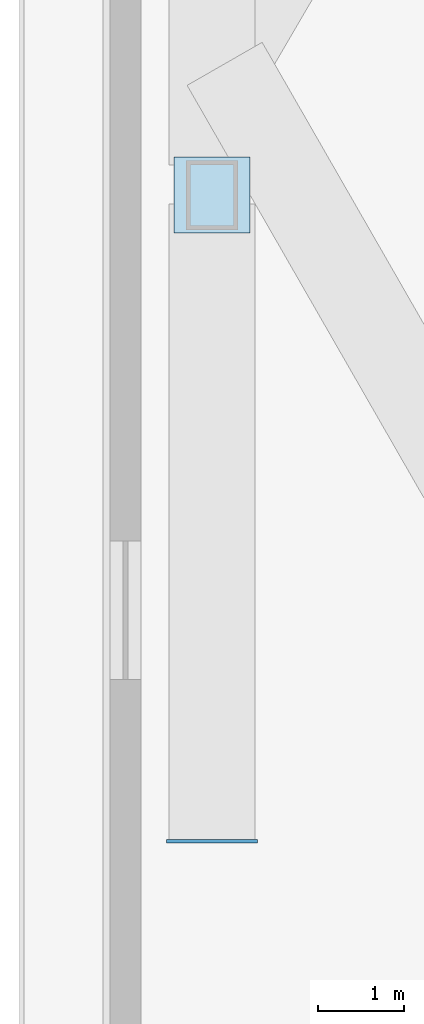
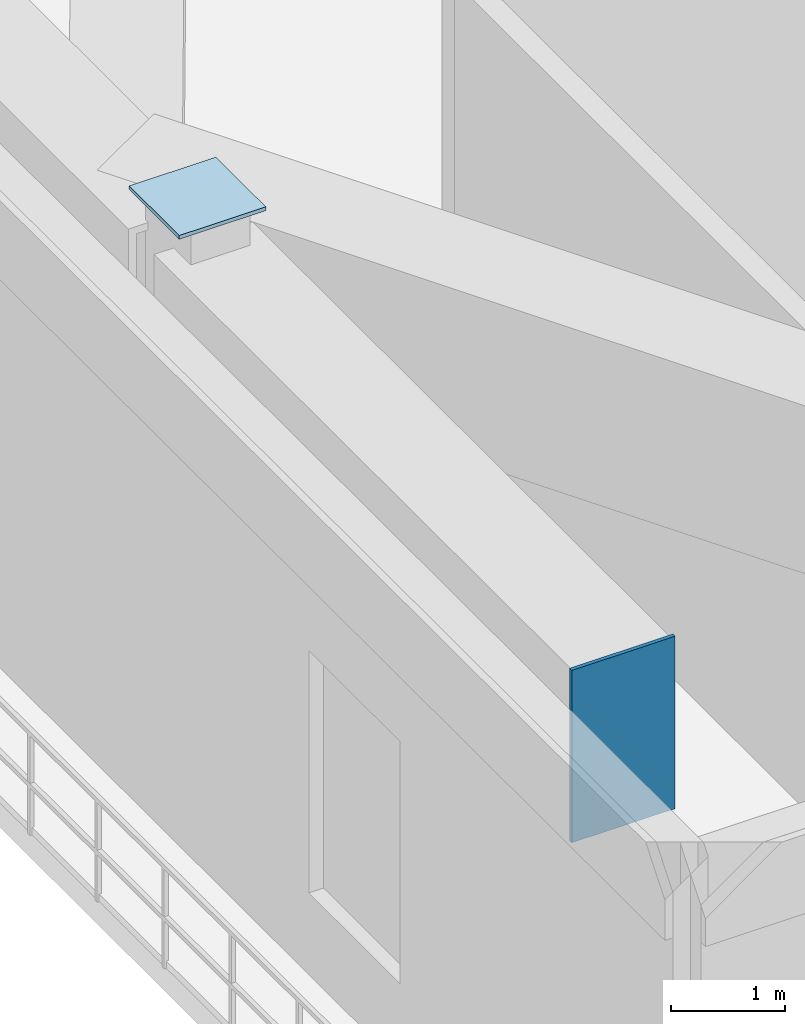
# One storey, part 3 of 15: 2 plates.
"""IFC4 building model written with IfcOpenShell, lengths in metres."""

from ifc_helpers import new_model, si_unit, direction, frame, origin, origin_2d, place, context, subcontext, project, spatial, rectangle, extrude, material, layer, layer_set, type_object, element, save


model = new_model("IFC4")

# Units and contexts
model_context = context("Model", 3, precision=1e-05, world=origin(), true_north=direction((0.0, 1.0)))
body_context = subcontext(model_context, "Body", "Model", "MODEL_VIEW")
ifc_project = project(units=[si_unit("LENGTHUNIT", "METRE"), si_unit("AREAUNIT", "SQUARE_METRE"), si_unit("VOLUMEUNIT", "CUBIC_METRE"), si_unit("PLANEANGLEUNIT", "RADIAN"), si_unit("MASSUNIT", "GRAM", prefix="KILO")], contexts=[model_context])

# Site, building, storey
site_placement = place(None, origin())
site = spatial("IfcSite", under=ifc_project, at=site_placement, CompositionType="ELEMENT")
building_placement = place(site_placement, origin())
building = spatial("IfcBuilding", under=site, at=building_placement, Name="Apsidion Concourse Tower", CompositionType="ELEMENT")
storey_placement = place(building_placement, frame((0.0, 0.0, 23.5)))
storey = spatial("IfcBuildingStorey", under=building, at=storey_placement, Name="L04", CompositionType="ELEMENT", Elevation=23.5)

# Plates
ifc_material = material(Name="Structural steel ASTM A572 Grade 50", Category="steel")
ifc_layer = layer(ifc_material, 0.034912109375)
ifc_layer_set = layer_set([ifc_layer], Name="Structural steel ASTM A572 Grade 50")
plate_type = type_object("IfcPlateType", Name="PL-ENDCAP-35", PredefinedType="USERDEFINED", material=ifc_layer_set)
plate_1_placement = place(storey_placement, frame((-38.300048828125, -18.0, 5.498046875), z_axis=(0.0, 0.0, 1.0), x_axis=(1.0, 0.0, 0.0)))
element("IfcPlate", 1, at=plate_1_placement, inside=storey, type_object=plate_type, Name="L04 Podium Step-Top Column End-Cap Plate PC01", ObjectType="FLANGE_PLATE", PredefinedType="USERDEFINED", context=body_context, shape_type="SweptSolid", body=[
    extrude(rectangle(XDim=0.8798828125, YDim=0.8798828125, at=origin_2d()), origin(), (0.0, 0.0, 1.0), 0.0400390625),
])
plate_2_placement = place(storey_placement, frame((-38.300048828125, -25.469970703125, 3.324951171875), z_axis=(0.0, 0.0, 1.0), x_axis=(1.0, 0.0, 0.0)))
element("IfcPlate", 2, at=plate_2_placement, inside=storey, type_object=plate_type, Name="L05 Base Corner Transfer Leg End Cap Plate NS-W", ObjectType="FLANGE_PLATE", PredefinedType="USERDEFINED", context=body_context, shape_type="SweptSolid", body=[
    extrude(rectangle(XDim=1.050048828125, YDim=0.0400390625, at=origin_2d()), origin(), (0.0, 0.0, 1.0), 1.85009765625),
])

save(model, "model.ifc")
